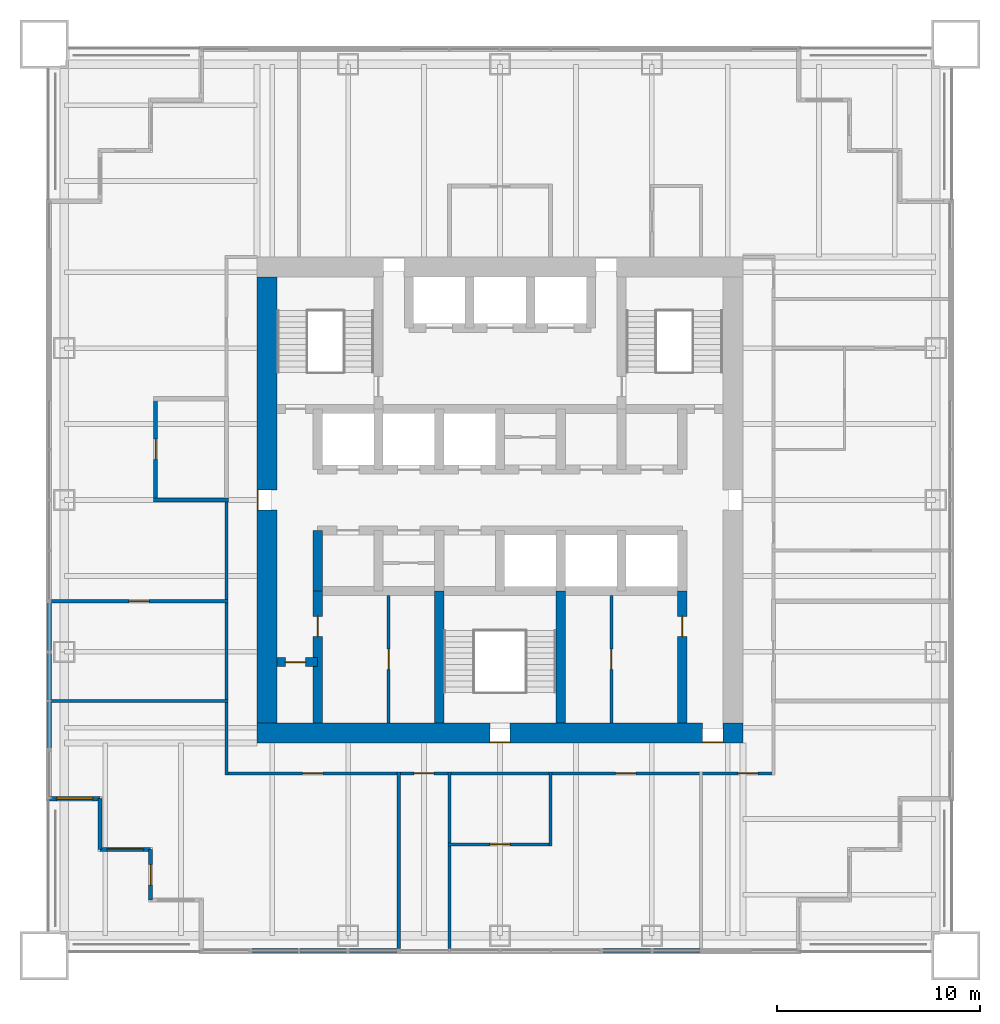
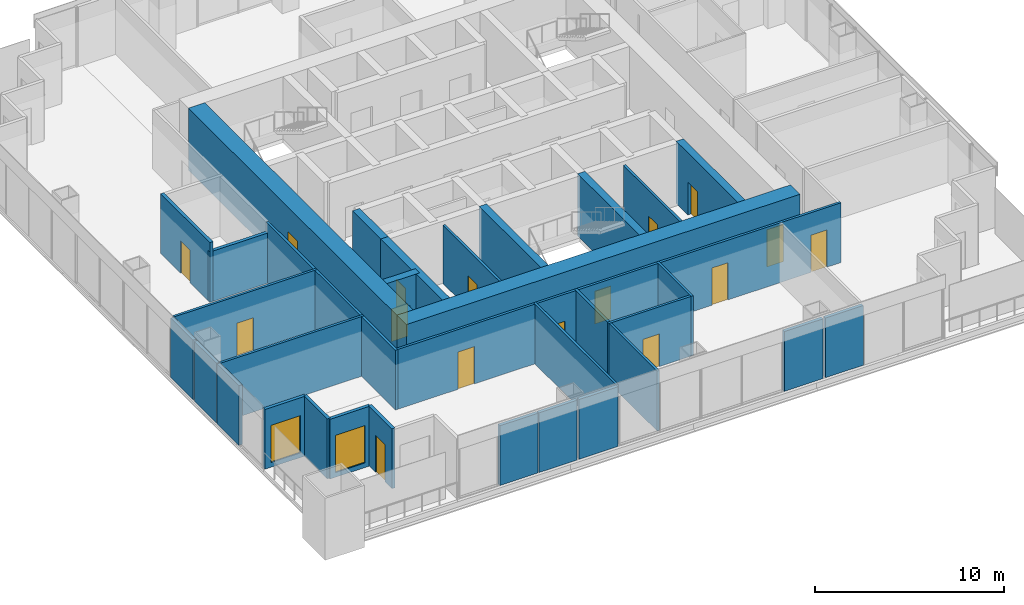
# One storey, part 8 of 13: 32 walls, 16 doors, 2 windows, 18 openings.
"""IFC4 building model written with IfcOpenShell, lengths in metres."""

from ifc_helpers import new_model, si_unit, direction, frame, frame_2d, origin, place, context, subcontext, project, spatial, rectangle, extrude, material, layer, layer_set, type_object, element, fill, save


model = new_model("IFC4")

# Units and contexts
model_context = context("Model", 3, precision=1e-05, world=origin(), true_north=direction((0.0, 1.0)))
body_context = subcontext(model_context, "Body", "Model", "MODEL_VIEW")
ifc_project = project(units=[si_unit("LENGTHUNIT", "METRE"), si_unit("AREAUNIT", "SQUARE_METRE"), si_unit("VOLUMEUNIT", "CUBIC_METRE"), si_unit("PLANEANGLEUNIT", "RADIAN"), si_unit("MASSUNIT", "GRAM", prefix="KILO")], contexts=[model_context])

# Site, building, storey
site_placement = place(None, origin())
site = spatial("IfcSite", under=ifc_project, at=site_placement, CompositionType="ELEMENT")
building_placement = place(site_placement, origin())
building = spatial("IfcBuilding", under=site, at=building_placement, Name="Tarangal Relay Tower", CompositionType="ELEMENT")
storey_placement = place(building_placement, frame((0.0, 0.0, 201.89990234375)))
storey = spatial("IfcBuildingStorey", under=building, at=storey_placement, Name="L42", CompositionType="ELEMENT", Elevation=201.89990234375)

# Wall
ifc_material_1 = material(Name="Two layers gypsum board each side on twin steel studs, mineral wool", Category="steel")
ifc_layer_1 = layer(ifc_material_1, 0.199951171875)
ifc_layer_set_1 = layer_set([ifc_layer_1], Name="Acoustic partition 200")
wall_type_1 = type_object("IfcWallType", Name="Acoustic partition 200", PredefinedType="PARTITIONING", material=ifc_layer_set_1)
wall_1_placement = place(storey_placement, frame((-17.10009765625, 0.0, 0.0), z_axis=(0.0, 0.0, 1.0), x_axis=(1.0, 0.0, 0.0)))
element("IfcWall", 1, at=wall_1_placement, inside=storey, type_object=wall_type_1, Name="Partition PT2 L42", PredefinedType="PARTITIONING", context=body_context, shape_type="SweptSolid", body=[
    extrude(rectangle(XDim=3.7001953125, YDim=0.199951171875, at=frame_2d((1.85009765625, 0.0))), origin(), (0.0, 0.0, 1.0), 3.238037109375),
])

# Wall, opening, door
wall_2_placement = place(storey_placement, frame((-17.0, -0.10009765625, 0.0), z_axis=(0.0, 0.0, 1.0), x_axis=(0.0, 1.0, 0.0)))
wall_2 = element("IfcWall", 2, at=wall_2_placement, inside=storey, type_object=wall_type_1, Name="Partition PT2 L42", PredefinedType="PARTITIONING", context=body_context, shape_type="SweptSolid", body=[
    extrude(rectangle(XDim=5.2001953125, YDim=0.199951171875, at=frame_2d((2.60009765625, 0.0))), origin(), (0.0, 0.0, 1.0), 3.85009765625),
])
opening_1_placement = place(wall_2_placement, frame((2.10009765625, 0.0, 0.0)))
opening_1 = element("IfcOpeningElement", 3, at=opening_1_placement, cuts=wall_2, Name="Opening D2", PredefinedType="OPENING", context=body_context, shape_type="SweptSolid", body=[
    extrude(rectangle(XDim=1.0, YDim=2.10009765625, at=frame_2d((0.5, 1.050048828125))), frame((0.0, 0.10986328125, 0.0), z_axis=(0.0, -1.0, 0.0), x_axis=(1.0, 0.0, 0.0)), (0.0, 0.0, 1.0), 0.219970703125),
])
ifc_material_2 = material(Name="Hardwood door", Category="wood")
door_type_1 = type_object("IfcDoorType", Name="Door 1000 x 2100", OperationType="SINGLE_SWING_LEFT", PredefinedType="DOOR", material=ifc_material_2)
door_1_placement = place(opening_1_placement, origin())
door_1 = element("IfcDoor", 4, at=door_1_placement, inside=storey, type_object=door_type_1, Name="Door D2 to meeting room L42-13", OperationType="SINGLE_SWING_LEFT", OverallHeight=2.10009765625, OverallWidth=1.0, PredefinedType="DOOR", context=body_context, shape_type="SweptSolid", body=[
    extrude(rectangle(XDim=1.0, YDim=2.10009765625, at=frame_2d((0.5, 1.050048828125))), frame((0.0, 0.02490234375, 0.0), z_axis=(0.0, -1.0, 0.0), x_axis=(1.0, 0.0, 0.0)), (0.0, 0.0, 1.0), 0.050048828125),
])
fill(opening_1, door_1)

ifc_material_3 = material(Name="Concrete fc' 60 MPa", Category="concrete")
ifc_layer_2 = layer(ifc_material_3, 0.449951171875)
ifc_layer_set_2 = layer_set([ifc_layer_2], Name="Core inner wall 450")
wall_type_2 = type_object("IfcWallType", Name="Core inner wall 450", PredefinedType="SHEAR", material=ifc_layer_set_2)
wall_3_placement = place(storey_placement, frame((-11.0, -8.0, 0.0), z_axis=(0.0, 0.0, 1.0), x_axis=(1.0, 0.0, 0.0)))
wall_3 = element("IfcWall", 5, at=wall_3_placement, inside=storey, type_object=wall_type_2, Name="Core wall YM8 L42", PredefinedType="SHEAR", context=body_context, shape_type="SweptSolid", body=[
    extrude(rectangle(XDim=2.0, YDim=0.449951171875, at=frame_2d((1.0, 0.0))), origin(), (0.0, 0.0, 1.0), 4.0),
])
opening_2_placement = place(wall_3_placement, frame((0.39990234375, 0.0, 0.0)))
opening_2 = element("IfcOpeningElement", 6, at=opening_2_placement, cuts=wall_3, Name="Opening D1", PredefinedType="OPENING", context=body_context, shape_type="SweptSolid", body=[
    extrude(rectangle(XDim=1.0, YDim=2.10009765625, at=frame_2d((0.5, 1.050048828125))), frame((0.0, 0.23486328125, 0.0), z_axis=(0.0, -1.0, 0.0), x_axis=(1.0, 0.0, 0.0)), (0.0, 0.0, 1.0), 0.469970703125),
])
door_type_2 = type_object("IfcDoorType", Name="WC door 1000 x 2100", OperationType="SINGLE_SWING_LEFT", PredefinedType="DOOR", material=ifc_material_2)
door_2_placement = place(opening_2_placement, origin())
door_2 = element("IfcDoor", 7, at=door_2_placement, inside=storey, type_object=door_type_2, Name="Accessible WC door L42", OperationType="SINGLE_SWING_LEFT", OverallHeight=2.10009765625, OverallWidth=1.0, PredefinedType="DOOR", context=body_context, shape_type="SweptSolid", body=[
    extrude(rectangle(XDim=1.0, YDim=2.10009765625, at=frame_2d((0.5, 1.050048828125))), frame((0.0, 0.02490234375, 0.0), z_axis=(0.0, -1.0, 0.0), x_axis=(1.0, 0.0, 0.0)), (0.0, 0.0, 1.0), 0.050048828125),
])
fill(opening_2, door_2)

# Wall
wall_4_placement = place(storey_placement, frame((-9.0, -4.5, 0.0), z_axis=(0.0, 0.0, 1.0), x_axis=(0.0, 1.0, 0.0)))
element("IfcWall", 8, at=wall_4_placement, inside=storey, type_object=wall_type_2, Name="Core wall XM9S L42", PredefinedType="SHEAR", context=body_context, shape_type="SweptSolid", body=[
    extrude(rectangle(XDim=3.0, YDim=0.449951171875, at=frame_2d((1.5, 0.0))), origin(), (0.0, 0.0, 1.0), 4.0),
])

# Wall, opening, door
wall_5_placement = place(storey_placement, frame((-9.0, -11.0, 0.0), z_axis=(0.0, 0.0, 1.0), x_axis=(0.0, 1.0, 0.0)))
wall_5 = element("IfcWall", 9, at=wall_5_placement, inside=storey, type_object=wall_type_2, Name="Core wall XM9W L42", PredefinedType="SHEAR", context=body_context, shape_type="SweptSolid", body=[
    extrude(rectangle(XDim=6.5, YDim=0.449951171875, at=frame_2d((3.25, 0.0))), origin(), (0.0, 0.0, 1.0), 4.0),
])
opening_3_placement = place(wall_5_placement, frame((4.25, 0.0, 0.0)))
opening_3 = element("IfcOpeningElement", 10, at=opening_3_placement, cuts=wall_5, Name="Opening D1", PredefinedType="OPENING", context=body_context, shape_type="SweptSolid", body=[
    extrude(rectangle(XDim=1.0, YDim=2.10009765625, at=frame_2d((0.5, 1.050048828125))), frame((0.0, 0.23486328125, 0.0), z_axis=(0.0, -1.0, 0.0), x_axis=(1.0, 0.0, 0.0)), (0.0, 0.0, 1.0), 0.469970703125),
])
door_3_placement = place(opening_3_placement, origin())
door_3 = element("IfcDoor", 11, at=door_3_placement, inside=storey, type_object=door_type_2, Name="Male WC door L42", OperationType="SINGLE_SWING_LEFT", OverallHeight=2.10009765625, OverallWidth=1.0, PredefinedType="DOOR", context=body_context, shape_type="SweptSolid", body=[
    extrude(rectangle(XDim=1.0, YDim=2.10009765625, at=frame_2d((0.5, 1.050048828125))), frame((0.0, 0.02490234375, 0.0), z_axis=(0.0, -1.0, 0.0), x_axis=(1.0, 0.0, 0.0)), (0.0, 0.0, 1.0), 0.050048828125),
])
fill(opening_3, door_3)

wall_6_placement = place(storey_placement, frame((9.0, -11.0, 0.0), z_axis=(0.0, 0.0, 1.0), x_axis=(0.0, 1.0, 0.0)))
wall_6 = element("IfcWall", 12, at=wall_6_placement, inside=storey, type_object=wall_type_2, Name="Core wall X9W L42", PredefinedType="SHEAR", context=body_context, shape_type="SweptSolid", body=[
    extrude(rectangle(XDim=6.5, YDim=0.449951171875, at=frame_2d((3.25, 0.0))), origin(), (0.0, 0.0, 1.0), 4.0),
])
opening_4_placement = place(wall_6_placement, frame((4.25, 0.0, 0.0)))
opening_4 = element("IfcOpeningElement", 13, at=opening_4_placement, cuts=wall_6, Name="Opening D1", PredefinedType="OPENING", context=body_context, shape_type="SweptSolid", body=[
    extrude(rectangle(XDim=1.0, YDim=2.10009765625, at=frame_2d((0.5, 1.050048828125))), frame((0.0, 0.23486328125, 0.0), z_axis=(0.0, -1.0, 0.0), x_axis=(1.0, 0.0, 0.0)), (0.0, 0.0, 1.0), 0.469970703125),
])
door_4_placement = place(opening_4_placement, origin())
door_4 = element("IfcDoor", 14, at=door_4_placement, inside=storey, type_object=door_type_2, Name="Female WC door L42", OperationType="SINGLE_SWING_LEFT", OverallHeight=2.10009765625, OverallWidth=1.0, PredefinedType="DOOR", context=body_context, shape_type="SweptSolid", body=[
    extrude(rectangle(XDim=1.0, YDim=2.10009765625, at=frame_2d((0.5, 1.050048828125))), frame((0.0, 0.02490234375, 0.0), z_axis=(0.0, -1.0, 0.0), x_axis=(1.0, 0.0, 0.0)), (0.0, 0.0, 1.0), 0.050048828125),
])
fill(opening_4, door_4)

# Walls
for number, where, z_axis, x_axis, name in (
    (15, (-3.0, -11.0, 0.0), (0.0, 0.0, 1.0), (0.0, 1.0, 0.0), "Core wall XM3W L42"),
    (16, (3.0, -11.0, 0.0), (0.0, 0.0, 1.0), (0.0, 1.0, 0.0), "Core wall X3W L42"),
):
    element("IfcWall", number, at=place(storey_placement, frame(where, z_axis=z_axis, x_axis=x_axis)), inside=storey, type_object=wall_type_2, Name=name, PredefinedType="SHEAR", context=body_context, shape_type="SweptSolid", body=[
        extrude(rectangle(XDim=6.5, YDim=0.449951171875, at=frame_2d((3.25, 0.0))), origin(), (0.0, 0.0, 1.0), 4.0),
    ])

# Wall, openings, doors
ifc_layer_3 = layer(ifc_material_3, 1.0)
ifc_layer_set_3 = layer_set([ifc_layer_3], Name="Core wall 1000")
wall_type_3 = type_object("IfcWallType", Name="Core wall 1000", PredefinedType="SHEAR", material=ifc_layer_set_3)
wall_7_placement = place(storey_placement, frame((12.0, -11.5, 0.0), z_axis=(0.0, 0.0, 1.0), x_axis=(-1.0, 0.0, 0.0)))
wall_7 = element("IfcWall", 17, at=wall_7_placement, inside=storey, type_object=wall_type_3, Name="Core wall S L42", PredefinedType="SHEAR", context=body_context, shape_type="SweptSolid", body=[
    extrude(rectangle(XDim=24.0, YDim=1.0, at=frame_2d((12.0, 0.0))), origin(), (0.0, 0.0, 1.0), 4.0),
])
opening_5_placement = place(wall_7_placement, frame((11.5, 0.0, 0.0)))
opening_5 = element("IfcOpeningElement", 18, at=opening_5_placement, cuts=wall_7, Name="Opening FD1", PredefinedType="OPENING", context=body_context, shape_type="SweptSolid", body=[
    extrude(rectangle(XDim=1.0, YDim=2.10009765625, at=frame_2d((0.5, 1.050048828125))), frame((0.0, 0.510009765625, 0.0), z_axis=(0.0, -1.0, 0.0), x_axis=(1.0, 0.0, 0.0)), (0.0, 0.0, 1.0), 1.02001953125),
])
opening_6_placement = place(wall_7_placement, frame((1.0, 0.0, 0.0)))
opening_6 = element("IfcOpeningElement", 19, at=opening_6_placement, cuts=wall_7, Name="Opening FD3", PredefinedType="OPENING", context=body_context, shape_type="SweptSolid", body=[
    extrude(rectangle(XDim=1.0, YDim=2.39990234375, at=frame_2d((0.5, 1.199951171875))), frame((0.0, 0.510009765625, 0.0), z_axis=(0.0, -1.0, 0.0), x_axis=(1.0, 0.0, 0.0)), (0.0, 0.0, 1.0), 1.02001953125),
])
ifc_material_4 = material(Name="Steel door with hardwood frame", Category="steel")
door_type_3 = type_object("IfcDoorType", Name="Fire door 1000 x 2100", OperationType="SINGLE_SWING_LEFT", PredefinedType="DOOR", material=ifc_material_4)
door_5_placement = place(opening_5_placement, origin())
door_5 = element("IfcDoor", 20, at=door_5_placement, inside=storey, type_object=door_type_3, Name="Stair ST-C door L42", OperationType="SINGLE_SWING_LEFT", OverallHeight=2.10009765625, OverallWidth=1.0, PredefinedType="DOOR", context=body_context, shape_type="SweptSolid", body=[
    extrude(rectangle(XDim=1.0, YDim=2.10009765625, at=frame_2d((0.5, 1.050048828125))), frame((0.0, 0.48486328125, 0.0), z_axis=(0.0, -1.0, 0.0), x_axis=(1.0, 0.0, 0.0)), (0.0, 0.0, 1.0), 0.050048828125),
])
fill(opening_5, door_5)
door_type_4 = type_object("IfcDoorType", Name="Fire door 1000 x 2400 core entry", OperationType="SINGLE_SWING_RIGHT", PredefinedType="DOOR", material=ifc_material_4)
door_6_placement = place(opening_6_placement, origin())
door_6 = element("IfcDoor", 21, at=door_6_placement, inside=storey, type_object=door_type_4, Name="Core entry door south east L42", OperationType="SINGLE_SWING_RIGHT", OverallHeight=2.39990234375, OverallWidth=1.0, PredefinedType="DOOR", context=body_context, shape_type="SweptSolid", body=[
    extrude(rectangle(XDim=1.0, YDim=2.39990234375, at=frame_2d((0.5, 1.199951171875))), frame((0.0, 0.48486328125, 0.0), z_axis=(0.0, -1.0, 0.0), x_axis=(1.0, 0.0, 0.0)), (0.0, 0.0, 1.0), 0.050048828125),
])
fill(opening_6, door_6)

# Wall, opening, door
wall_8_placement = place(storey_placement, frame((-11.5, -11.0, 0.0), z_axis=(0.0, 0.0, 1.0), x_axis=(0.0, 1.0, 0.0)))
wall_8 = element("IfcWall", 22, at=wall_8_placement, inside=storey, type_object=wall_type_3, Name="Core wall W L42", PredefinedType="SHEAR", context=body_context, shape_type="SweptSolid", body=[
    extrude(rectangle(XDim=22.0, YDim=1.0, at=frame_2d((11.0, 0.0))), origin(), (0.0, 0.0, 1.0), 4.0),
])
opening_7_placement = place(wall_8_placement, frame((10.5, 0.0, 0.0)))
opening_7 = element("IfcOpeningElement", 23, at=opening_7_placement, cuts=wall_8, Name="Opening FD3", PredefinedType="OPENING", context=body_context, shape_type="SweptSolid", body=[
    extrude(rectangle(XDim=1.0, YDim=2.39990234375, at=frame_2d((0.5, 1.199951171875))), frame((0.0, 0.510009765625, 0.0), z_axis=(0.0, -1.0, 0.0), x_axis=(1.0, 0.0, 0.0)), (0.0, 0.0, 1.0), 1.02001953125),
])
door_7_placement = place(opening_7_placement, origin())
door_7 = element("IfcDoor", 24, at=door_7_placement, inside=storey, type_object=door_type_4, Name="Core entry door west L42", OperationType="SINGLE_SWING_RIGHT", OverallHeight=2.39990234375, OverallWidth=1.0, PredefinedType="DOOR", context=body_context, shape_type="SweptSolid", body=[
    extrude(rectangle(XDim=1.0, YDim=2.39990234375, at=frame_2d((0.5, 1.199951171875))), frame((0.0, 0.48486328125, 0.0), z_axis=(0.0, -1.0, 0.0), x_axis=(1.0, 0.0, 0.0)), (0.0, 0.0, 1.0), 0.050048828125),
])
fill(opening_7, door_7)

ifc_material_5 = material(Name="Black metal clad insulated wall", Category="steel")
ifc_layer_4 = layer(ifc_material_5, 0.199951171875)
ifc_layer_set_4 = layer_set([ifc_layer_4], Name="Corner wall metal clad 200")
wall_type_4 = type_object("IfcWallType", Name="Corner wall metal clad 200", PredefinedType="SOLIDWALL", material=ifc_layer_set_4)
wall_9_placement = place(storey_placement, frame((-17.25, -19.75, 0.0), z_axis=(0.0, 0.0, 1.0), x_axis=(0.0, 1.0, 0.0)))
wall_9 = element("IfcWall", 25, at=wall_9_placement, inside=storey, type_object=wall_type_4, Name="Facade wall S facade L42", PredefinedType="SOLIDWALL", context=body_context, shape_type="SweptSolid", body=[
    extrude(rectangle(XDim=2.5, YDim=0.199951171875, at=frame_2d((1.25, 0.0))), origin(), (0.0, 0.0, 1.0), 3.85009765625),
])
opening_8_placement = place(wall_9_placement, frame((0.75, 0.0, 0.0)))
opening_8 = element("IfcOpeningElement", 26, at=opening_8_placement, cuts=wall_9, Name="Opening TD1", PredefinedType="OPENING", context=body_context, shape_type="SweptSolid", body=[
    extrude(rectangle(XDim=1.0, YDim=2.39990234375, at=frame_2d((0.5, 1.199951171875))), frame((0.0, 0.10986328125, 0.0), z_axis=(0.0, -1.0, 0.0), x_axis=(1.0, 0.0, 0.0)), (0.0, 0.0, 1.0), 0.219970703125),
])
ifc_material_6 = material(Name="Aluminium glazed door", Category="aluminium")
door_type_5 = type_object("IfcDoorType", Name="Terrace door 1000 x 2400", OperationType="SINGLE_SWING_RIGHT", PredefinedType="DOOR", material=ifc_material_6)
door_8_placement = place(opening_8_placement, origin())
door_8 = element("IfcDoor", 27, at=door_8_placement, inside=storey, type_object=door_type_5, Name="Terrace door TD1 SW L42", OperationType="SINGLE_SWING_RIGHT", OverallHeight=2.39990234375, OverallWidth=1.0, PredefinedType="DOOR", context=body_context, shape_type="SweptSolid", body=[
    extrude(rectangle(XDim=1.0, YDim=2.39990234375, at=frame_2d((0.5, 1.199951171875))), frame((0.0, 0.02490234375, 0.0), z_axis=(0.0, -1.0, 0.0), x_axis=(1.0, 0.0, 0.0)), (0.0, 0.0, 1.0), 0.050048828125),
])
fill(opening_8, door_8)

# Wall, opening, window
wall_10_placement = place(storey_placement, frame((-17.25, -17.25, 0.0), z_axis=(0.0, 0.0, 1.0), x_axis=(-1.0, 0.0, 0.0)))
wall_10 = element("IfcWall", 28, at=wall_10_placement, inside=storey, type_object=wall_type_4, Name="Facade wall S facade L42", PredefinedType="SOLIDWALL", context=body_context, shape_type="SweptSolid", body=[
    extrude(rectangle(XDim=2.5, YDim=0.199951171875, at=frame_2d((1.25, 0.0))), origin(), (0.0, 0.0, 1.0), 3.85009765625),
])
opening_9_placement = place(wall_10_placement, frame((0.35009765625, 0.0, 0.300048828125)))
opening_9 = element("IfcOpeningElement", 29, at=opening_9_placement, cuts=wall_10, Name="Opening WN2", PredefinedType="OPENING", context=body_context, shape_type="SweptSolid", body=[
    extrude(rectangle(XDim=1.800048828125, YDim=2.39990234375, at=frame_2d((0.89990234375, 1.199951171875))), frame((0.0, 0.10986328125, 0.0), z_axis=(0.0, -1.0, 0.0), x_axis=(1.0, 0.0, 0.0)), (0.0, 0.0, 1.0), 0.219970703125),
])
ifc_material_7 = material(Name="Dark tinted double glazing in black aluminium frame", Category="aluminium")
window_type = type_object("IfcWindowType", Name="Corner window 1800 x 2400", PartitioningType="SINGLE_PANEL", PredefinedType="WINDOW", material=ifc_material_7)
window_1_placement = place(opening_9_placement, origin())
window_1 = element("IfcWindow", 30, at=window_1_placement, inside=storey, type_object=window_type, Name="Corner window WN2 S facade L42", OverallHeight=2.39990234375, OverallWidth=1.800048828125, PartitioningType="SINGLE_PANEL", PredefinedType="WINDOW", context=body_context, shape_type="SweptSolid", body=[
    extrude(rectangle(XDim=1.800048828125, YDim=2.39990234375, at=frame_2d((0.89990234375, 1.199951171875))), frame((0.0, 0.030029296875, 0.0), z_axis=(0.0, -1.0, 0.0), x_axis=(1.0, 0.0, 0.0)), (0.0, 0.0, 1.0), 0.06005859375),
])
fill(opening_9, window_1)

# Wall
wall_11_placement = place(storey_placement, frame((-19.75, -17.25, 0.0), z_axis=(0.0, 0.0, 1.0), x_axis=(0.0, 1.0, 0.0)))
element("IfcWall", 31, at=wall_11_placement, inside=storey, type_object=wall_type_4, Name="Facade wall S facade L42", PredefinedType="SOLIDWALL", context=body_context, shape_type="SweptSolid", body=[
    extrude(rectangle(XDim=2.5, YDim=0.199951171875, at=frame_2d((1.25, 0.0))), origin(), (0.0, 0.0, 1.0), 3.85009765625),
])

# Wall, opening, window
wall_12_placement = place(storey_placement, frame((-19.75, -14.75, 0.0), z_axis=(0.0, 0.0, 1.0), x_axis=(-1.0, 0.0, 0.0)))
wall_12 = element("IfcWall", 32, at=wall_12_placement, inside=storey, type_object=wall_type_4, Name="Facade wall S facade L42", PredefinedType="SOLIDWALL", context=body_context, shape_type="SweptSolid", body=[
    extrude(rectangle(XDim=2.5, YDim=0.199951171875, at=frame_2d((1.25, 0.0))), origin(), (0.0, 0.0, 1.0), 3.85009765625),
])
opening_10_placement = place(wall_12_placement, frame((0.35009765625, 0.0, 0.300048828125)))
opening_10 = element("IfcOpeningElement", 33, at=opening_10_placement, cuts=wall_12, Name="Opening WN2", PredefinedType="OPENING", context=body_context, shape_type="SweptSolid", body=[
    extrude(rectangle(XDim=1.800048828125, YDim=2.39990234375, at=frame_2d((0.89990234375, 1.199951171875))), frame((0.0, 0.10986328125, 0.0), z_axis=(0.0, -1.0, 0.0), x_axis=(1.0, 0.0, 0.0)), (0.0, 0.0, 1.0), 0.219970703125),
])
window_2_placement = place(opening_10_placement, origin())
window_2 = element("IfcWindow", 34, at=window_2_placement, inside=storey, type_object=window_type, Name="Corner window WN2 S facade L42", OverallHeight=2.39990234375, OverallWidth=1.800048828125, PartitioningType="SINGLE_PANEL", PredefinedType="WINDOW", context=body_context, shape_type="SweptSolid", body=[
    extrude(rectangle(XDim=1.800048828125, YDim=2.39990234375, at=frame_2d((0.89990234375, 1.199951171875))), frame((0.0, 0.030029296875, 0.0), z_axis=(0.0, -1.0, 0.0), x_axis=(1.0, 0.0, 0.0)), (0.0, 0.0, 1.0), 0.06005859375),
])
fill(opening_10, window_2)

# Walls
ifc_layer_5 = layer(ifc_material_5, 0.199951171875)
ifc_layer_set_5 = layer_set([ifc_layer_5], Name="Facade infill wall metal clad 200")
wall_type_5 = type_object("IfcWallType", Name="Facade infill wall metal clad 200", PredefinedType="SOLIDWALL", material=ifc_layer_set_5)
wall_13_placement = place(storey_placement, frame((9.884033203125, -22.25, 0.0), z_axis=(0.0, 0.0, 1.0), x_axis=(-1.0, 0.0, 0.0)))
element("IfcWall", 35, at=wall_13_placement, inside=storey, type_object=wall_type_5, Name="Facade infill wall S facade L42 2.1", PredefinedType="SOLIDWALL", context=body_context, shape_type="SweptSolid", body=[
    extrude(rectangle(XDim=2.319091796875, YDim=0.199951171875, at=frame_2d((1.15966796875, 0.0))), origin(), (0.0, 0.0, 1.0), 3.85009765625),
])
for number, where, z_axis, x_axis, name in (
    (36, (7.43505859375, -22.25, 0.0), (0.0, 0.0, 1.0), (-1.0, 0.0, 0.0), "Facade infill wall S facade L42 1.1"),
    (37, (-5.06494140625, -22.25, 0.0), (0.0, 0.0, 1.0), (-1.0, 0.0, 0.0), "Facade infill wall S facade L42 1.1"),
):
    element("IfcWall", number, at=place(storey_placement, frame(where, z_axis=z_axis, x_axis=x_axis)), inside=storey, type_object=wall_type_5, Name=name, PredefinedType="SOLIDWALL", context=body_context, shape_type="SweptSolid", body=[
        extrude(rectangle(XDim=2.3701171875, YDim=0.199951171875, at=frame_2d((1.18505859375, 0.0))), origin(), (0.0, 0.0, 1.0), 3.85009765625),
    ])
for number, where, z_axis, x_axis, name in (
    (38, (-7.56494140625, -22.25, 0.0), (0.0, 0.0, 1.0), (-1.0, 0.0, 0.0), "Facade infill wall S facade L42 1.1"),
    (39, (-9.94921875, -22.25, 0.0), (0.0, 0.0, 1.0), (-1.0, 0.0, 0.0), "Facade infill wall S facade L42 2.1"),
    (40, (-22.25, -12.268310546875, 0.0), (0.0, 0.0, 1.0), (0.0, 1.0, 0.0), "Facade infill wall W facade L42 1.1"),
    (41, (-22.25, -9.884033203125, 0.0), (0.0, 0.0, 1.0), (0.0, 1.0, 0.0), "Facade infill wall W facade L42 2.1"),
):
    element("IfcWall", number, at=place(storey_placement, frame(where, z_axis=z_axis, x_axis=x_axis)), inside=storey, type_object=wall_type_5, Name=name, PredefinedType="SOLIDWALL", context=body_context, shape_type="SweptSolid", body=[
        extrude(rectangle(XDim=2.319091796875, YDim=0.199951171875, at=frame_2d((1.15966796875, 0.0))), origin(), (0.0, 0.0, 1.0), 3.85009765625),
    ])
wall_14_placement = place(storey_placement, frame((-22.25, -7.43505859375, 0.0), z_axis=(0.0, 0.0, 1.0), x_axis=(0.0, 1.0, 0.0)))
element("IfcWall", 42, at=wall_14_placement, inside=storey, type_object=wall_type_5, Name="Facade infill wall W facade L42 1.1", PredefinedType="SOLIDWALL", context=body_context, shape_type="SweptSolid", body=[
    extrude(rectangle(XDim=2.3701171875, YDim=0.199951171875, at=frame_2d((1.18505859375, 0.0))), origin(), (0.0, 0.0, 1.0), 3.85009765625),
])

# Wall, opening, door
ifc_material_8 = material(Name="Gypsum board on steel studs", Category="steel")
ifc_layer_6 = layer(ifc_material_8, 0.14990234375)
ifc_layer_set_6 = layer_set([ifc_layer_6], Name="Partition 150")
wall_type_6 = type_object("IfcWallType", Name="Partition 150", PredefinedType="PARTITIONING", material=ifc_layer_set_6)
wall_15_placement = place(storey_placement, frame((-2.574951171875, -17.0, 0.0), z_axis=(0.0, 0.0, 1.0), x_axis=(1.0, 0.0, 0.0)))
wall_15 = element("IfcWall", 43, at=wall_15_placement, inside=storey, type_object=wall_type_6, Name="Partition PT1 L42", PredefinedType="PARTITIONING", context=body_context, shape_type="SweptSolid", body=[
    extrude(rectangle(XDim=5.14990234375, YDim=0.14990234375, at=frame_2d((2.574951171875, 0.0))), origin(), (0.0, 0.0, 1.0), 3.85009765625),
])
opening_11_placement = place(wall_15_placement, frame((2.074951171875, 0.0, 0.0)))
opening_11 = element("IfcOpeningElement", 44, at=opening_11_placement, cuts=wall_15, Name="Opening D2", PredefinedType="OPENING", context=body_context, shape_type="SweptSolid", body=[
    extrude(rectangle(XDim=1.0, YDim=2.10009765625, at=frame_2d((0.5, 1.050048828125))), frame((0.0, 0.0849609375, 0.0), z_axis=(0.0, -1.0, 0.0), x_axis=(1.0, 0.0, 0.0)), (0.0, 0.0, 1.0), 0.169921875),
])
door_9_placement = place(opening_11_placement, origin())
door_9 = element("IfcDoor", 45, at=door_9_placement, inside=storey, type_object=door_type_1, Name="Door D2 to tea pantry L42-10", OperationType="SINGLE_SWING_LEFT", OverallHeight=2.10009765625, OverallWidth=1.0, PredefinedType="DOOR", context=body_context, shape_type="SweptSolid", body=[
    extrude(rectangle(XDim=1.0, YDim=2.10009765625, at=frame_2d((0.5, 1.050048828125))), frame((0.0, 0.02490234375, 0.0), z_axis=(0.0, -1.0, 0.0), x_axis=(1.0, 0.0, 0.0)), (0.0, 0.0, 1.0), 0.050048828125),
])
fill(opening_11, door_9)

# Wall, openings, doors
wall_16_placement = place(storey_placement, frame((-13.574951171875, -13.5, 0.0), z_axis=(0.0, 0.0, 1.0), x_axis=(1.0, 0.0, 0.0)))
wall_16 = element("IfcWall", 46, at=wall_16_placement, inside=storey, type_object=wall_type_6, Name="Partition PT1 L42", PredefinedType="PARTITIONING", context=body_context, shape_type="SweptSolid", body=[
    extrude(rectangle(XDim=27.14990234375, YDim=0.14990234375, at=frame_2d((13.574951171875, 0.0))), origin(), (0.0, 0.0, 1.0), 3.85009765625),
])
opening_12_placement = place(wall_16_placement, frame((19.283447265625, 0.0, 0.0)))
opening_12 = element("IfcOpeningElement", 47, at=opening_12_placement, cuts=wall_16, Name="Opening SD1", PredefinedType="OPENING", context=body_context, shape_type="SweptSolid", body=[
    extrude(rectangle(XDim=1.0, YDim=2.39990234375, at=frame_2d((0.5, 1.199951171875))), frame((0.0, 0.0849609375, 0.0), z_axis=(0.0, -1.0, 0.0), x_axis=(1.0, 0.0, 0.0)), (0.0, 0.0, 1.0), 0.169921875),
])
opening_13_placement = place(wall_16_placement, frame((9.324951171875, 0.0, 0.0)))
opening_13 = element("IfcOpeningElement", 48, at=opening_13_placement, cuts=wall_16, Name="Opening D2", PredefinedType="OPENING", context=body_context, shape_type="SweptSolid", body=[
    extrude(rectangle(XDim=1.0, YDim=2.10009765625, at=frame_2d((0.5, 1.050048828125))), frame((0.0, 0.0849609375, 0.0), z_axis=(0.0, -1.0, 0.0), x_axis=(1.0, 0.0, 0.0)), (0.0, 0.0, 1.0), 0.169921875),
])
opening_14_placement = place(wall_16_placement, frame((3.824951171875, 0.0, 0.0)))
opening_14 = element("IfcOpeningElement", 49, at=opening_14_placement, cuts=wall_16, Name="Opening SD1", PredefinedType="OPENING", context=body_context, shape_type="SweptSolid", body=[
    extrude(rectangle(XDim=1.0, YDim=2.39990234375, at=frame_2d((0.5, 1.199951171875))), frame((0.0, 0.0849609375, 0.0), z_axis=(0.0, -1.0, 0.0), x_axis=(1.0, 0.0, 0.0)), (0.0, 0.0, 1.0), 0.169921875),
])
opening_15_placement = place(wall_16_placement, frame((25.318359375, 0.0, 0.0)))
opening_15 = element("IfcOpeningElement", 50, at=opening_15_placement, cuts=wall_16, Name="Opening SD1", PredefinedType="OPENING", context=body_context, shape_type="SweptSolid", body=[
    extrude(rectangle(XDim=1.0, YDim=2.39990234375, at=frame_2d((0.5, 1.199951171875))), frame((0.0, 0.0849609375, 0.0), z_axis=(0.0, -1.0, 0.0), x_axis=(1.0, 0.0, 0.0)), (0.0, 0.0, 1.0), 0.169921875),
])
door_10_placement = place(opening_13_placement, origin())
door_10 = element("IfcDoor", 51, at=door_10_placement, inside=storey, type_object=door_type_1, Name="Door D2 to print room L42-11", OperationType="SINGLE_SWING_LEFT", OverallHeight=2.10009765625, OverallWidth=1.0, PredefinedType="DOOR", context=body_context, shape_type="SweptSolid", body=[
    extrude(rectangle(XDim=1.0, YDim=2.10009765625, at=frame_2d((0.5, 1.050048828125))), frame((0.0, 0.02490234375, 0.0), z_axis=(0.0, -1.0, 0.0), x_axis=(1.0, 0.0, 0.0)), (0.0, 0.0, 1.0), 0.050048828125),
])
fill(opening_13, door_10)
door_type_6 = type_object("IfcDoorType", Name="Suite entrance door 1000 x 2400", OperationType="SINGLE_SWING_RIGHT", PredefinedType="DOOR", material=ifc_material_4)
door_11_placement = place(opening_12_placement, origin())
door_11 = element("IfcDoor", 52, at=door_11_placement, inside=storey, type_object=door_type_6, Name="Door SD1 to open plan office L42-09", OperationType="SINGLE_SWING_RIGHT", OverallHeight=2.39990234375, OverallWidth=1.0, PredefinedType="DOOR", context=body_context, shape_type="SweptSolid", body=[
    extrude(rectangle(XDim=1.0, YDim=2.39990234375, at=frame_2d((0.5, 1.199951171875))), frame((0.0, 0.02490234375, 0.0), z_axis=(0.0, -1.0, 0.0), x_axis=(1.0, 0.0, 0.0)), (0.0, 0.0, 1.0), 0.050048828125),
])
fill(opening_12, door_11)
door_12_placement = place(opening_14_placement, origin())
door_12 = element("IfcDoor", 53, at=door_12_placement, inside=storey, type_object=door_type_6, Name="Door SD1 to open plan office L42-15", OperationType="SINGLE_SWING_RIGHT", OverallHeight=2.39990234375, OverallWidth=1.0, PredefinedType="DOOR", context=body_context, shape_type="SweptSolid", body=[
    extrude(rectangle(XDim=1.0, YDim=2.39990234375, at=frame_2d((0.5, 1.199951171875))), frame((0.0, 0.02490234375, 0.0), z_axis=(0.0, -1.0, 0.0), x_axis=(1.0, 0.0, 0.0)), (0.0, 0.0, 1.0), 0.050048828125),
])
fill(opening_14, door_12)
door_13_placement = place(opening_15_placement, origin())
door_13 = element("IfcDoor", 54, at=door_13_placement, inside=storey, type_object=door_type_6, Name="Door SD1 to open plan office L42-17", OperationType="SINGLE_SWING_RIGHT", OverallHeight=2.39990234375, OverallWidth=1.0, PredefinedType="DOOR", context=body_context, shape_type="SweptSolid", body=[
    extrude(rectangle(XDim=1.0, YDim=2.39990234375, at=frame_2d((0.5, 1.199951171875))), frame((0.0, 0.02490234375, 0.0), z_axis=(0.0, -1.0, 0.0), x_axis=(1.0, 0.0, 0.0)), (0.0, 0.0, 1.0), 0.050048828125),
])
fill(opening_15, door_13)

# Wall
wall_17_placement = place(storey_placement, frame((-22.14990234375, -9.9169921875, 0.0), z_axis=(0.0, 0.0, 1.0), x_axis=(1.0, 0.0, 0.0)))
element("IfcWall", 55, at=wall_17_placement, inside=storey, type_object=wall_type_6, Name="Partition PT1 L42", PredefinedType="PARTITIONING", context=body_context, shape_type="SweptSolid", body=[
    extrude(rectangle(XDim=8.724853515625, YDim=0.14990234375, at=frame_2d((4.3623046875, 0.0))), origin(), (0.0, 0.0, 1.0), 3.85009765625),
])

# Wall, opening, door
wall_18_placement = place(storey_placement, frame((-22.14990234375, -5.0, 0.0), z_axis=(0.0, 0.0, 1.0), x_axis=(1.0, 0.0, 0.0)))
wall_18 = element("IfcWall", 56, at=wall_18_placement, inside=storey, type_object=wall_type_6, Name="Partition PT1 L42", PredefinedType="PARTITIONING", context=body_context, shape_type="SweptSolid", body=[
    extrude(rectangle(XDim=8.724853515625, YDim=0.14990234375, at=frame_2d((4.3623046875, 0.0))), origin(), (0.0, 0.0, 1.0), 3.85009765625),
])
opening_16_placement = place(wall_18_placement, frame((3.824951171875, 0.0, 0.0)))
opening_16 = element("IfcOpeningElement", 57, at=opening_16_placement, cuts=wall_18, Name="Opening D2", PredefinedType="OPENING", context=body_context, shape_type="SweptSolid", body=[
    extrude(rectangle(XDim=1.0, YDim=2.10009765625, at=frame_2d((0.5, 1.050048828125))), frame((0.0, 0.0849609375, 0.0), z_axis=(0.0, -1.0, 0.0), x_axis=(1.0, 0.0, 0.0)), (0.0, 0.0, 1.0), 0.169921875),
])
door_14_placement = place(opening_16_placement, origin())
door_14 = element("IfcDoor", 58, at=door_14_placement, inside=storey, type_object=door_type_1, Name="Door D2 to cellular office L42-12", OperationType="SINGLE_SWING_LEFT", OverallHeight=2.10009765625, OverallWidth=1.0, PredefinedType="DOOR", context=body_context, shape_type="SweptSolid", body=[
    extrude(rectangle(XDim=1.0, YDim=2.10009765625, at=frame_2d((0.5, 1.050048828125))), frame((0.0, 0.02490234375, 0.0), z_axis=(0.0, -1.0, 0.0), x_axis=(1.0, 0.0, 0.0)), (0.0, 0.0, 1.0), 0.050048828125),
])
fill(opening_16, door_14)

# Walls
wall_19_placement = place(storey_placement, frame((-13.5, -13.574951171875, 0.0), z_axis=(0.0, 0.0, 1.0), x_axis=(0.0, 1.0, 0.0)))
element("IfcWall", 59, at=wall_19_placement, inside=storey, type_object=wall_type_6, Name="Partition PT1 L42", PredefinedType="PARTITIONING", context=body_context, shape_type="SweptSolid", body=[
    extrude(rectangle(XDim=13.64990234375, YDim=0.14990234375, at=frame_2d((6.824951171875, 0.0))), origin(), (0.0, 0.0, 1.0), 3.85009765625),
])
for number, where, z_axis, x_axis, name in (
    (60, (-5.0, -22.14990234375, 0.0), (0.0, 0.0, 1.0), (0.0, 1.0, 0.0), "Partition PT1 L42"),
    (61, (-2.5, -22.14990234375, 0.0), (0.0, 0.0, 1.0), (0.0, 1.0, 0.0), "Partition PT1 L42"),
):
    element("IfcWall", number, at=place(storey_placement, frame(where, z_axis=z_axis, x_axis=x_axis)), inside=storey, type_object=wall_type_6, Name=name, PredefinedType="PARTITIONING", context=body_context, shape_type="SweptSolid", body=[
        extrude(rectangle(XDim=8.724853515625, YDim=0.14990234375, at=frame_2d((4.3623046875, 0.0))), origin(), (0.0, 0.0, 1.0), 3.85009765625),
    ])
wall_20_placement = place(storey_placement, frame((2.5, -17.074951171875, 0.0), z_axis=(0.0, 0.0, 1.0), x_axis=(0.0, 1.0, 0.0)))
element("IfcWall", 62, at=wall_20_placement, inside=storey, type_object=wall_type_6, Name="Partition PT1 L42", PredefinedType="PARTITIONING", context=body_context, shape_type="SweptSolid", body=[
    extrude(rectangle(XDim=3.64990234375, YDim=0.14990234375, at=frame_2d((1.824951171875, 0.0))), origin(), (0.0, 0.0, 1.0), 3.85009765625),
])

# Wall, opening, door
wall_21_placement = place(storey_placement, frame((-5.5, -11.0, 0.0), z_axis=(0.0, 0.0, 1.0), x_axis=(0.0, 1.0, 0.0)))
wall_21 = element("IfcWall", 63, at=wall_21_placement, inside=storey, type_object=wall_type_6, Name="Partition PT1 L42", PredefinedType="PARTITIONING", context=body_context, shape_type="SweptSolid", body=[
    extrude(rectangle(XDim=6.27490234375, YDim=0.14990234375, at=frame_2d((3.137451171875, 0.0))), origin(), (0.0, 0.0, 1.0), 3.75),
])
opening_17_placement = place(wall_21_placement, frame((2.637451171875, 0.0, 0.0)))
opening_17 = element("IfcOpeningElement", 64, at=opening_17_placement, cuts=wall_21, Name="Opening D1", PredefinedType="OPENING", context=body_context, shape_type="SweptSolid", body=[
    extrude(rectangle(XDim=1.0, YDim=2.10009765625, at=frame_2d((0.5, 1.050048828125))), frame((0.0, 0.0849609375, 0.0), z_axis=(0.0, -1.0, 0.0), x_axis=(1.0, 0.0, 0.0)), (0.0, 0.0, 1.0), 0.169921875),
])
door_15_placement = place(opening_17_placement, origin())
door_15 = element("IfcDoor", 65, at=door_15_placement, inside=storey, type_object=door_type_2, Name="Door D1 to male shower and changing room L42-C7B", OperationType="SINGLE_SWING_LEFT", OverallHeight=2.10009765625, OverallWidth=1.0, PredefinedType="DOOR", context=body_context, shape_type="SweptSolid", body=[
    extrude(rectangle(XDim=1.0, YDim=2.10009765625, at=frame_2d((0.5, 1.050048828125))), frame((0.0, 0.02490234375, 0.0), z_axis=(0.0, -1.0, 0.0), x_axis=(1.0, 0.0, 0.0)), (0.0, 0.0, 1.0), 0.050048828125),
])
fill(opening_17, door_15)

wall_22_placement = place(storey_placement, frame((5.5, -11.0, 0.0), z_axis=(0.0, 0.0, 1.0), x_axis=(0.0, 1.0, 0.0)))
wall_22 = element("IfcWall", 66, at=wall_22_placement, inside=storey, type_object=wall_type_6, Name="Partition PT1 L42", PredefinedType="PARTITIONING", context=body_context, shape_type="SweptSolid", body=[
    extrude(rectangle(XDim=6.27490234375, YDim=0.14990234375, at=frame_2d((3.137451171875, 0.0))), origin(), (0.0, 0.0, 1.0), 3.75),
])
opening_18_placement = place(wall_22_placement, frame((2.637451171875, 0.0, 0.0)))
opening_18 = element("IfcOpeningElement", 67, at=opening_18_placement, cuts=wall_22, Name="Opening D1", PredefinedType="OPENING", context=body_context, shape_type="SweptSolid", body=[
    extrude(rectangle(XDim=1.0, YDim=2.10009765625, at=frame_2d((0.5, 1.050048828125))), frame((0.0, 0.0849609375, 0.0), z_axis=(0.0, -1.0, 0.0), x_axis=(1.0, 0.0, 0.0)), (0.0, 0.0, 1.0), 0.169921875),
])
door_16_placement = place(opening_18_placement, origin())
door_16 = element("IfcDoor", 68, at=door_16_placement, inside=storey, type_object=door_type_2, Name="Door D1 to female shower and changing room L42-C10B", OperationType="SINGLE_SWING_LEFT", OverallHeight=2.10009765625, OverallWidth=1.0, PredefinedType="DOOR", context=body_context, shape_type="SweptSolid", body=[
    extrude(rectangle(XDim=1.0, YDim=2.10009765625, at=frame_2d((0.5, 1.050048828125))), frame((0.0, 0.02490234375, 0.0), z_axis=(0.0, -1.0, 0.0), x_axis=(1.0, 0.0, 0.0)), (0.0, 0.0, 1.0), 0.050048828125),
])
fill(opening_18, door_16)

save(model, "model.ifc")
